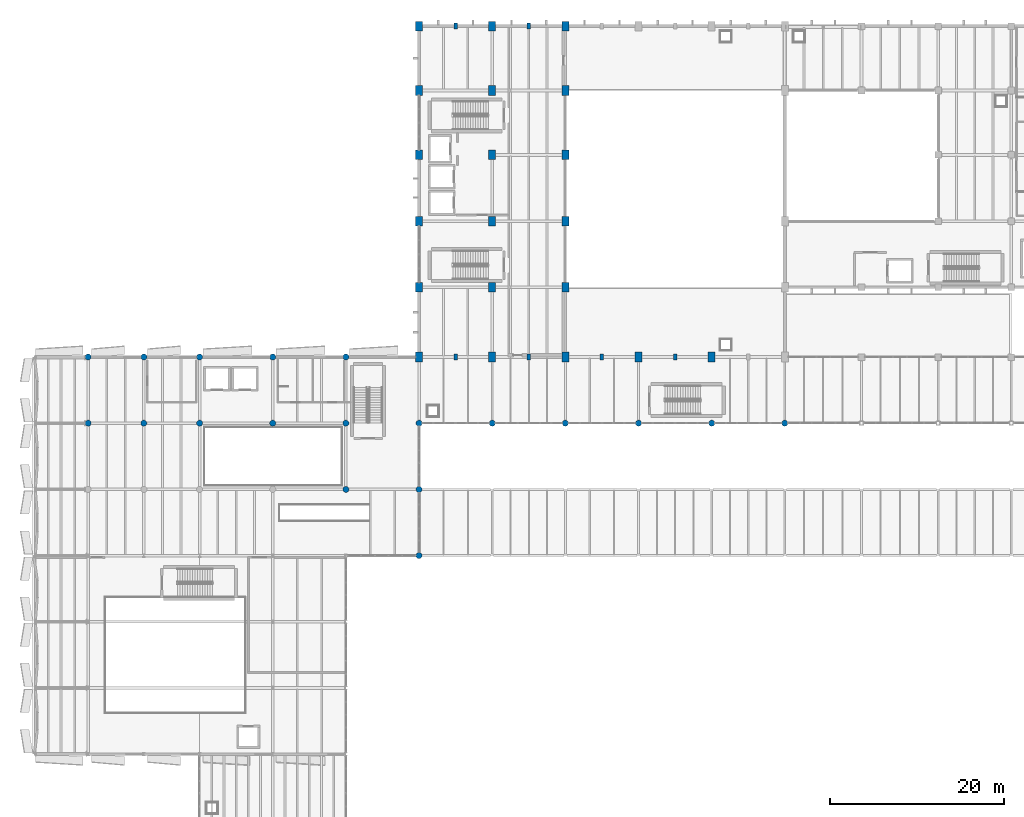
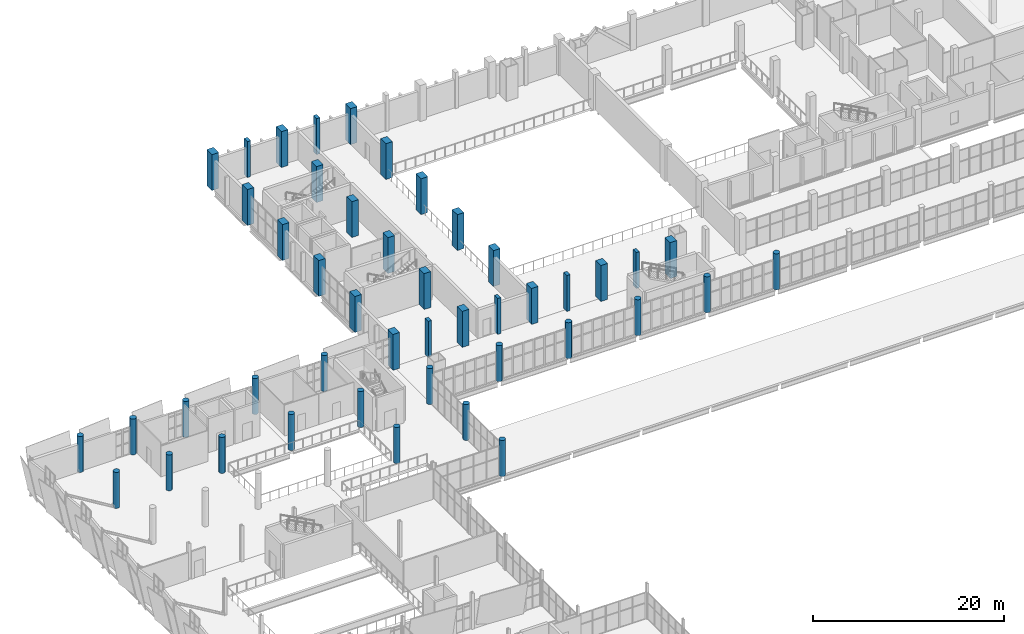
# One storey, part 4 of 136: 45 columns.
"""IFC4 building model written with IfcOpenShell, lengths in metres."""

from ifc_helpers import new_model, si_unit, direction, frame, origin, origin_2d, place, context, subcontext, project, spatial, rectangle, circle, extrude, material, material_profile, profile_set, type_object, element, save


model = new_model("IFC4")

# Units and contexts
model_context = context("Model", 3, precision=1e-05, world=origin(), true_north=direction((0.0, 1.0)))
body_context = subcontext(model_context, "Body", "Model", "MODEL_VIEW")
ifc_project = project(units=[si_unit("LENGTHUNIT", "METRE"), si_unit("AREAUNIT", "SQUARE_METRE"), si_unit("VOLUMEUNIT", "CUBIC_METRE"), si_unit("PLANEANGLEUNIT", "RADIAN"), si_unit("MASSUNIT", "GRAM", prefix="KILO")], contexts=[model_context])

# Site, building, storey
site_placement = place(None, origin())
site = spatial("IfcSite", under=ifc_project, at=site_placement, CompositionType="ELEMENT")
building_placement = place(site_placement, origin())
building = spatial("IfcBuilding", under=site, at=building_placement, Name="Shengluoqiao Park Theatre", CompositionType="ELEMENT")
storey_placement = place(building_placement, frame((0.0, 0.0, 10.0)))
storey = spatial("IfcBuildingStorey", under=building, at=storey_placement, Name="L02", CompositionType="ELEMENT", Elevation=10.0)

# Columns
ifc_material = material(Name="Concrete C50", Category="concrete")
ifc_material_profile_1 = material_profile(ifc_material, rectangle(XDim=0.39990234375, YDim=0.699951171875, at=origin_2d()), Name="RC PILASTER 400x700")
ifc_profile_set_1 = profile_set([ifc_material_profile_1], Name="Concrete C50")
column_type_1 = type_object("IfcColumnType", Name="STR-COL-C-PIL4070", PredefinedType="PILASTER", material=ifc_profile_set_1)
for number, where, z_axis, x_axis, name in (
    (1, (48.60009765625, 76.0, 0.0), (0.0, 0.0, 1.0), (1.0, 0.0, 0.0), "L02 Column 0248"),
    (2, (48.60009765625, 114.0, 0.0), (0.0, 0.0, 1.0), (1.0, 0.0, 0.0), "L02 Column 0253"),
    (3, (57.0, 76.0, 0.0), (0.0, 0.0, 1.0), (1.0, 0.0, 0.0), "L02 Column 0296"),
    (4, (57.0, 114.0, 0.0), (0.0, 0.0, 1.0), (1.0, 0.0, 0.0), "L02 Column 0301"),
    (5, (65.39990234375, 76.0, 0.0), (0.0, 0.0, 1.0), (1.0, 0.0, 0.0), "L02 Column 0344"),
    (6, (73.800048828125, 76.0, 0.0), (0.0, 0.0, 1.0), (1.0, 0.0, 0.0), "L02 Column 0376"),
):
    element("IfcColumn", number, at=place(storey_placement, frame(where, z_axis=z_axis, x_axis=x_axis)), inside=storey, type_object=column_type_1, Name=name, PredefinedType="PILASTER", context=body_context, shape_type="SweptSolid", body=[
        extrude(rectangle(XDim=0.39990234375, YDim=0.699951171875, at=origin_2d()), origin(), (0.0, 0.0, 1.0), 4.60009765625),
    ])
ifc_material_profile_2 = material_profile(ifc_material, rectangle(XDim=0.800048828125, YDim=1.10009765625, at=origin_2d()), Name="RC 800x1100")
ifc_profile_set_2 = profile_set([ifc_material_profile_2], Name="Concrete C50")
column_type_2 = type_object("IfcColumnType", Name="STR-COL-C-RC8011", PredefinedType="COLUMN", material=ifc_profile_set_2)
for number, where, z_axis, x_axis, name in (
    (7, (44.39990234375, 76.0, 0.0), (0.0, 0.0, 1.0), (1.0, 0.0, 0.0), "L02 Column 0218"),
    (8, (44.39990234375, 84.0, 0.0), (0.0, 0.0, 1.0), (1.0, 0.0, 0.0), "L02 Column 0223"),
    (9, (44.39990234375, 91.60009765625, 0.0), (0.0, 0.0, 1.0), (1.0, 0.0, 0.0), "L02 Column 0228"),
    (10, (44.39990234375, 99.199951171875, 0.0), (0.0, 0.0, 1.0), (1.0, 0.0, 0.0), "L02 Column 0233"),
    (11, (44.39990234375, 106.60009765625, 0.0), (0.0, 0.0, 1.0), (1.0, 0.0, 0.0), "L02 Column 0238"),
    (12, (44.39990234375, 114.0, 0.0), (0.0, 0.0, 1.0), (1.0, 0.0, 0.0), "L02 Column 0243"),
    (13, (52.800048828125, 76.0, 0.0), (0.0, 0.0, 1.0), (1.0, 0.0, 0.0), "L02 Column 0266"),
    (14, (52.800048828125, 84.0, 0.0), (0.0, 0.0, 1.0), (1.0, 0.0, 0.0), "L02 Column 0271"),
    (15, (52.800048828125, 91.60009765625, 0.0), (0.0, 0.0, 1.0), (1.0, 0.0, 0.0), "L02 Column 0276"),
    (16, (52.800048828125, 99.199951171875, 0.0), (0.0, 0.0, 1.0), (1.0, 0.0, 0.0), "L02 Column 0281"),
    (17, (52.800048828125, 106.60009765625, 0.0), (0.0, 0.0, 1.0), (1.0, 0.0, 0.0), "L02 Column 0286"),
    (18, (52.800048828125, 114.0, 0.0), (0.0, 0.0, 1.0), (1.0, 0.0, 0.0), "L02 Column 0291"),
    (19, (61.199951171875, 76.0, 0.0), (0.0, 0.0, 1.0), (1.0, 0.0, 0.0), "L02 Column 0314"),
    (20, (61.199951171875, 84.0, 0.0), (0.0, 0.0, 1.0), (1.0, 0.0, 0.0), "L02 Column 0319"),
    (21, (61.199951171875, 91.60009765625, 0.0), (0.0, 0.0, 1.0), (1.0, 0.0, 0.0), "L02 Column 0324"),
    (22, (61.199951171875, 99.199951171875, 0.0), (0.0, 0.0, 1.0), (1.0, 0.0, 0.0), "L02 Column 0329"),
    (23, (61.199951171875, 106.60009765625, 0.0), (0.0, 0.0, 1.0), (1.0, 0.0, 0.0), "L02 Column 0334"),
    (24, (61.199951171875, 114.0, 0.0), (0.0, 0.0, 1.0), (1.0, 0.0, 0.0), "L02 Column 0339"),
    (25, (69.60009765625, 76.0, 0.0), (0.0, 0.0, 1.0), (1.0, 0.0, 0.0), "L02 Column 0362"),
    (26, (78.0, 76.0, 0.0), (0.0, 0.0, 1.0), (1.0, 0.0, 0.0), "L02 Column 0394"),
):
    element("IfcColumn", number, at=place(storey_placement, frame(where, z_axis=z_axis, x_axis=x_axis)), inside=storey, type_object=column_type_2, Name=name, PredefinedType="COLUMN", context=body_context, shape_type="SweptSolid", body=[
        extrude(rectangle(XDim=0.800048828125, YDim=1.10009765625, at=origin_2d()), origin(), (0.0, 0.0, 1.0), 4.60009765625),
    ])
ifc_material_profile_3 = material_profile(ifc_material, circle(Radius=0.35009765625, at=origin_2d()), Name="RC COL D700")
ifc_profile_set_3 = profile_set([ifc_material_profile_3], Name="Concrete C50")
column_type_3 = type_object("IfcColumnType", Name="STR-COL-C-RCD700", PredefinedType="COLUMN", material=ifc_profile_set_3)
for number, where, z_axis, x_axis, name in (
    (27, (6.39990234375, 68.39990234375, 0.0), (0.0, 0.0, 1.0), (1.0, 0.0, 0.0), "L02 Column 0023"),
    (28, (6.39990234375, 76.0, 0.0), (0.0, 0.0, 1.0), (1.0, 0.0, 0.0), "L02 Column 0027"),
    (29, (12.800048828125, 68.39990234375, 0.0), (0.0, 0.0, 1.0), (1.0, 0.0, 0.0), "L02 Column 0061"),
    (30, (12.800048828125, 76.0, 0.0), (0.0, 0.0, 1.0), (1.0, 0.0, 0.0), "L02 Column 0065"),
    (31, (19.199951171875, 68.39990234375, 0.0), (0.0, 0.0, 1.0), (1.0, 0.0, 0.0), "L02 Column 0093"),
    (32, (19.199951171875, 76.0, 0.0), (0.0, 0.0, 1.0), (1.0, 0.0, 0.0), "L02 Column 0097"),
    (33, (27.60009765625, 68.39990234375, 0.0), (0.0, 0.0, 1.0), (1.0, 0.0, 0.0), "L02 Column 0137"),
    (34, (27.60009765625, 76.0, 0.0), (0.0, 0.0, 1.0), (1.0, 0.0, 0.0), "L02 Column 0141"),
    (35, (36.0, 60.800048828125, 0.0), (0.0, 0.0, 1.0), (1.0, 0.0, 0.0), "L02 Column 0177"),
    (36, (36.0, 68.39990234375, 0.0), (0.0, 0.0, 1.0), (1.0, 0.0, 0.0), "L02 Column 0181"),
    (37, (36.0, 76.0, 0.0), (0.0, 0.0, 1.0), (1.0, 0.0, 0.0), "L02 Column 0185"),
    (38, (44.39990234375, 53.199951171875, 0.0), (0.0, 0.0, 1.0), (1.0, 0.0, 0.0), "L02 Column 0205"),
    (39, (44.39990234375, 60.800048828125, 0.0), (0.0, 0.0, 1.0), (1.0, 0.0, 0.0), "L02 Column 0209"),
    (40, (44.39990234375, 68.39990234375, 0.0), (0.0, 0.0, 1.0), (1.0, 0.0, 0.0), "L02 Column 0213"),
    (41, (52.800048828125, 68.39990234375, 0.0), (0.0, 0.0, 1.0), (1.0, 0.0, 0.0), "L02 Column 0261"),
    (42, (61.199951171875, 68.39990234375, 0.0), (0.0, 0.0, 1.0), (1.0, 0.0, 0.0), "L02 Column 0309"),
    (43, (69.60009765625, 68.39990234375, 0.0), (0.0, 0.0, 1.0), (1.0, 0.0, 0.0), "L02 Column 0357"),
    (44, (78.0, 68.39990234375, 0.0), (0.0, 0.0, 1.0), (1.0, 0.0, 0.0), "L02 Column 0389"),
    (45, (86.39990234375, 68.39990234375, 0.0), (0.0, 0.0, 1.0), (1.0, 0.0, 0.0), "L02 Column 0421"),
):
    element("IfcColumn", number, at=place(storey_placement, frame(where, z_axis=z_axis, x_axis=x_axis)), inside=storey, type_object=column_type_3, Name=name, PredefinedType="COLUMN", context=body_context, shape_type="SweptSolid", body=[
        extrude(circle(Radius=0.35009765625, at=origin_2d()), origin(), (0.0, 0.0, 1.0), 4.60009765625),
    ])

save(model, "model.ifc")
